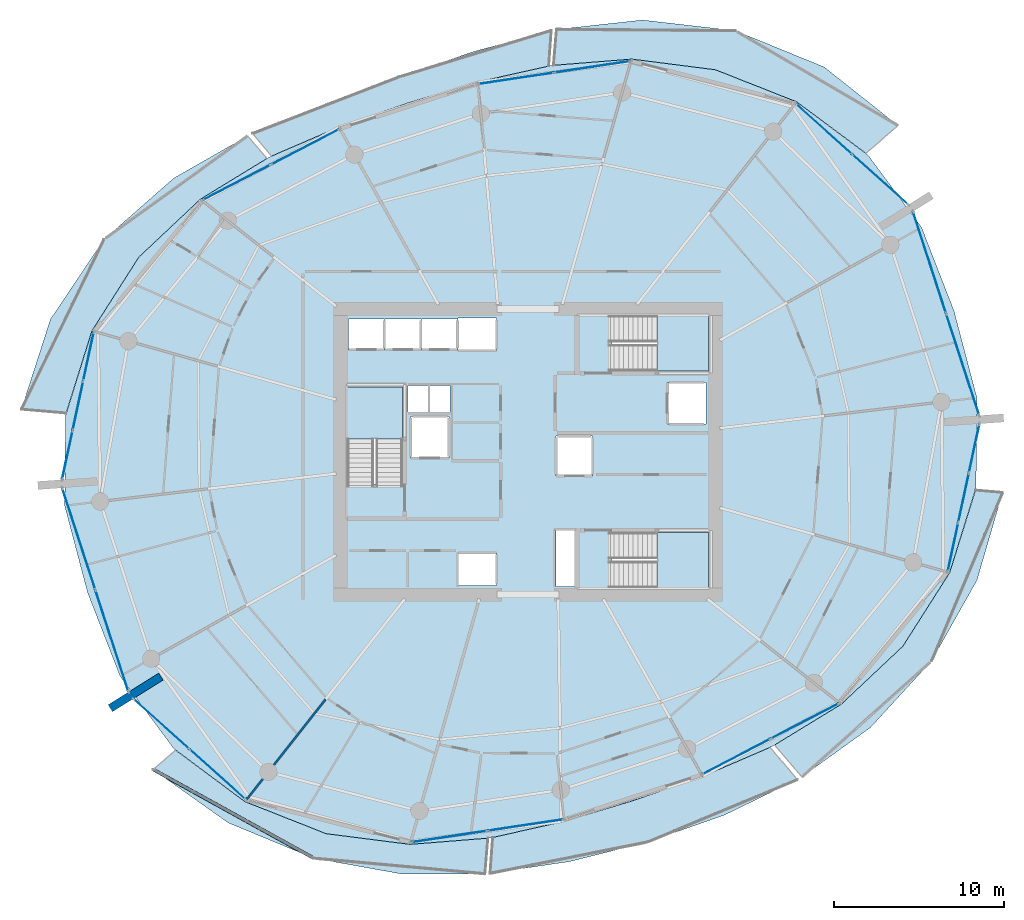
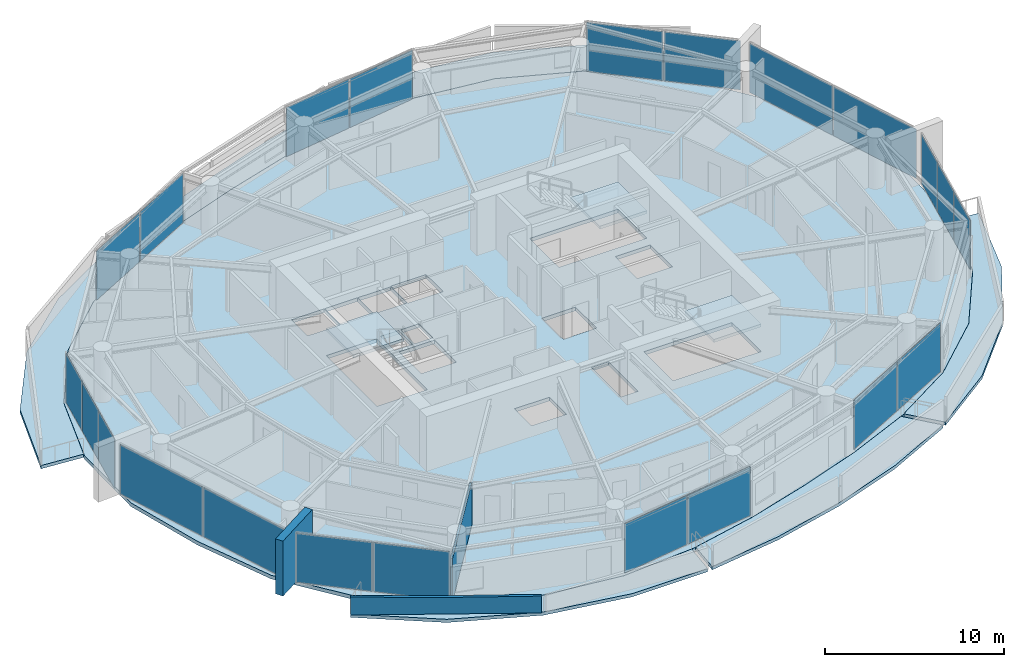
# One storey, part 10 of 20: 22 plates, 10 slabs, 3 walls, 13 elements without a shape of their own.
"""IFC4 building model written with IfcOpenShell, lengths in metres."""

from ifc_helpers import new_model, si_unit, direction, frame, frame_2d, origin, origin_2d, place, context, subcontext, project, spatial, polyline, rectangle, outline, extrude, material, layer, layer_set, type_object, element, aggregate, save


model = new_model("IFC4")

# Units and contexts
model_context = context("Model", 3, precision=1e-05, world=origin(), true_north=direction((0.0, 1.0)))
body_context = subcontext(model_context, "Body", "Model", "MODEL_VIEW")
ifc_project = project(units=[si_unit("LENGTHUNIT", "METRE"), si_unit("AREAUNIT", "SQUARE_METRE"), si_unit("VOLUMEUNIT", "CUBIC_METRE"), si_unit("PLANEANGLEUNIT", "RADIAN"), si_unit("MASSUNIT", "GRAM", prefix="KILO")], contexts=[model_context])

# Site, building, storey
site_placement = place(None, origin())
site = spatial("IfcSite", under=ifc_project, at=site_placement, CompositionType="ELEMENT")
building_placement = place(site_placement, origin())
building = spatial("IfcBuilding", under=site, at=building_placement, Name="Kazma Halo Residences", CompositionType="ELEMENT")
storey_placement = place(building_placement, frame((0.0, 0.0, 165.300048828125)))
storey = spatial("IfcBuildingStorey", under=building, at=storey_placement, Name="L41", CompositionType="ELEMENT", Elevation=165.300048828125)

# Curtain wall, plates
ifc_material_1 = material(Name="Aluminium AW-6063 T6 and Triple-Silver Low-E Glass", Category="aluminium")
ifc_layer_1 = layer(ifc_material_1, 0.219970703125)
ifc_layer_set_1 = layer_set([ifc_layer_1], Name="Aluminium AW-6063 T6 and Triple-Silver Low-E Glass")
curtain_wall_type = type_object("IfcCurtainWallType", Name="CW-SYS-4", PredefinedType="NOTDEFINED", material=ifc_layer_set_1)
curtain_wall_1_placement = place(storey_placement, origin())
curtain_wall_1 = element("IfcCurtainWall", 1, at=curtain_wall_1_placement, inside=storey, type_object=curtain_wall_type, Name="L41 unitised curtain wall B01", PredefinedType="NOTDEFINED")
ifc_material_2 = material(Name="Clear Triple-Silver Low-E Glass IGU", Category="glass")
ifc_layer_2 = layer(ifc_material_2, 0.033935546875)
ifc_layer_set_2 = layer_set([ifc_layer_2], Name="Clear Triple-Silver Low-E Glass IGU")
plate_type = type_object("IfcPlateType", Name="CW-SYS-4-PNL", PredefinedType="CURTAIN_PANEL", material=ifc_layer_set_2)
plate_1_placement = place(storey_placement, frame((69.126708984375, 58.008056640625, 0.074951171875), z_axis=(0.0, 0.0, 1.0), x_axis=(-0.744367582957, 0.667770096247, 0.0)))
plate_1 = element("IfcPlate", 2, at=plate_1_placement, type_object=plate_type, Name="CWS-4 panel 1.1", PredefinedType="CURTAIN_PANEL", context=body_context, shape_type="SweptSolid", body=[
    extrude(rectangle(XDim=4.36279296875, YDim=0.033935546875, at=origin_2d()), origin(), (0.0, 0.0, 1.0), 3.35009765625),
])
plate_2_placement = place(storey_placement, frame((65.823486328125, 60.971435546875, 0.074951171875), z_axis=(0.0, 0.0, 1.0), x_axis=(-0.744367582957, 0.667770096247, 0.0)))
plate_2 = element("IfcPlate", 3, at=plate_2_placement, type_object=plate_type, Name="CWS-4 panel 2.1", PredefinedType="CURTAIN_PANEL", context=body_context, shape_type="SweptSolid", body=[
    extrude(rectangle(XDim=4.36279296875, YDim=0.033935546875, at=origin_2d()), origin(), (0.0, 0.0, 1.0), 3.35009765625),
])
aggregate(curtain_wall_1, [plate_1, plate_2])

curtain_wall_2_placement = place(storey_placement, origin())
curtain_wall_2 = element("IfcCurtainWall", 4, at=curtain_wall_2_placement, inside=storey, type_object=curtain_wall_type, Name="L41 unitised curtain wall B03", PredefinedType="NOTDEFINED")
plate_3_placement = place(storey_placement, frame((52.200439453125, 64.625732421875, 0.074951171875), z_axis=(0.0, 0.0, 1.0), x_axis=(-0.988864148004, -0.148821022686, 0.0)))
plate_3 = element("IfcPlate", 5, at=plate_3_placement, type_object=plate_type, Name="CWS-4 panel 1.1", PredefinedType="CURTAIN_PANEL", context=body_context, shape_type="SweptSolid", body=[
    extrude(rectangle(XDim=4.4560546875, YDim=0.033935546875, at=origin_2d()), origin(), (0.0, 0.0, 1.0), 3.35009765625),
])
plate_4_placement = place(storey_placement, frame((47.7197265625, 63.951416015625, 0.074951171875), z_axis=(0.0, 0.0, 1.0), x_axis=(-0.988864148004, -0.148821022686, 0.0)))
plate_4 = element("IfcPlate", 6, at=plate_4_placement, type_object=plate_type, Name="CWS-4 panel 2.1", PredefinedType="CURTAIN_PANEL", context=body_context, shape_type="SweptSolid", body=[
    extrude(rectangle(XDim=4.4560546875, YDim=0.033935546875, at=origin_2d()), origin(), (0.0, 0.0, 1.0), 3.35009765625),
])
aggregate(curtain_wall_2, [plate_3, plate_4])

curtain_wall_3_placement = place(storey_placement, origin())
curtain_wall_3 = element("IfcCurtainWall", 7, at=curtain_wall_3_placement, inside=storey, type_object=curtain_wall_type, Name="L41 unitised curtain wall B05", PredefinedType="NOTDEFINED")
plate_5_placement = place(storey_placement, frame((35.323974609375, 59.923828125, 0.074951171875), z_axis=(0.0, 0.0, 1.0), x_axis=(-0.887484542306, -0.460837484552, 0.0)))
plate_5 = element("IfcPlate", 8, at=plate_5_placement, type_object=plate_type, Name="CWS-4 panel 1.1", PredefinedType="CURTAIN_PANEL", context=body_context, shape_type="SweptSolid", body=[
    extrude(rectangle(XDim=4.4560546875, YDim=0.033935546875, at=origin_2d()), origin(), (0.0, 0.0, 1.0), 3.35009765625),
])
plate_6_placement = place(storey_placement, frame((31.302734375, 57.835693359375, 0.074951171875), z_axis=(0.0, 0.0, 1.0), x_axis=(-0.887484542306, -0.460837484552, 0.0)))
plate_6 = element("IfcPlate", 9, at=plate_6_placement, type_object=plate_type, Name="CWS-4 panel 2.1", PredefinedType="CURTAIN_PANEL", context=body_context, shape_type="SweptSolid", body=[
    extrude(rectangle(XDim=4.4560546875, YDim=0.033935546875, at=origin_2d()), origin(), (0.0, 0.0, 1.0), 3.35009765625),
])
aggregate(curtain_wall_3, [plate_5, plate_6])

curtain_wall_4_placement = place(storey_placement, origin())
curtain_wall_4 = element("IfcCurtainWall", 10, at=curtain_wall_4_placement, inside=storey, type_object=curtain_wall_type, Name="L41 unitised curtain wall B07", PredefinedType="NOTDEFINED")
plate_7_placement = place(storey_placement, frame((22.5859375, 47.601318359375, 0.074951171875), z_axis=(0.0, 0.0, 1.0), x_axis=(-0.209703809037, -0.977764957684, 0.0)))
plate_7 = element("IfcPlate", 11, at=plate_7_placement, type_object=plate_type, Name="CWS-4 panel 1.1", PredefinedType="CURTAIN_PANEL", context=body_context, shape_type="SweptSolid", body=[
    extrude(rectangle(XDim=2.87109375, YDim=0.033935546875, at=origin_2d()), origin(), (0.0, 0.0, 1.0), 3.35009765625),
])
plate_8_placement = place(storey_placement, frame((21.964111328125, 44.702392578125, 0.074951171875), z_axis=(0.0, 0.0, 1.0), x_axis=(-0.209703809037, -0.977764957684, 0.0)))
plate_8 = element("IfcPlate", 12, at=plate_8_placement, type_object=plate_type, Name="CWS-4 panel 2.1", PredefinedType="CURTAIN_PANEL", context=body_context, shape_type="SweptSolid", body=[
    extrude(rectangle(XDim=2.90869140625, YDim=0.033935546875, at=origin_2d()), origin(), (0.0, 0.0, 1.0), 3.35009765625),
])
plate_9_placement = place(storey_placement, frame((21.34228515625, 41.803466796875, 0.074951171875), z_axis=(0.0, 0.0, 1.0), x_axis=(-0.209703809037, -0.977764957684, 0.0)))
plate_9 = element("IfcPlate", 13, at=plate_9_placement, type_object=plate_type, Name="CWS-4 panel 3.1", PredefinedType="CURTAIN_PANEL", context=body_context, shape_type="SweptSolid", body=[
    extrude(rectangle(XDim=2.87109375, YDim=0.033935546875, at=origin_2d()), origin(), (0.0, 0.0, 1.0), 3.35009765625),
])
aggregate(curtain_wall_4, [plate_7, plate_8, plate_9])

curtain_wall_5_placement = place(storey_placement, origin())
curtain_wall_5 = element("IfcCurtainWall", 14, at=curtain_wall_5_placement, inside=storey, type_object=curtain_wall_type, Name="L41 unitised curtain wall B08", PredefinedType="NOTDEFINED")
plate_10_placement = place(storey_placement, frame((22.017578125, 36.869873046875, 0.074951171875), z_axis=(0.0, 0.0, 1.0), x_axis=(0.3090138203, -0.951057547609, 0.0)))
plate_10 = element("IfcPlate", 15, at=plate_10_placement, type_object=plate_type, Name="CWS-4 panel 1.1", PredefinedType="CURTAIN_PANEL", context=body_context, shape_type="SweptSolid", body=[
    extrude(rectangle(XDim=6.224853515625, YDim=0.033935546875, at=origin_2d()), origin(), (0.0, 0.0, 1.0), 3.35009765625),
])
plate_11_placement = place(storey_placement, frame((23.96435546875, 30.878173828125, 0.074951171875), z_axis=(0.0, 0.0, 1.0), x_axis=(0.3090138203, -0.951057547609, 0.0)))
plate_11 = element("IfcPlate", 16, at=plate_11_placement, type_object=plate_type, Name="CWS-4 panel 2.1", PredefinedType="CURTAIN_PANEL", context=body_context, shape_type="SweptSolid", body=[
    extrude(rectangle(XDim=6.224853515625, YDim=0.033935546875, at=origin_2d()), origin(), (0.0, 0.0, 1.0), 3.35009765625),
])
aggregate(curtain_wall_5, [plate_10, plate_11])

curtain_wall_6_placement = place(storey_placement, origin())
curtain_wall_6 = element("IfcCurtainWall", 17, at=curtain_wall_6_placement, inside=storey, type_object=curtain_wall_type, Name="L41 unitised curtain wall B09", PredefinedType="NOTDEFINED")
plate_12_placement = place(storey_placement, frame((26.873291015625, 25.991943359375, 0.074951171875), z_axis=(0.0, 0.0, 1.0), x_axis=(0.744367582957, -0.667770096247, 0.0)))
plate_12 = element("IfcPlate", 18, at=plate_12_placement, type_object=plate_type, Name="CWS-4 panel 1.1", PredefinedType="CURTAIN_PANEL", context=body_context, shape_type="SweptSolid", body=[
    extrude(rectangle(XDim=4.36279296875, YDim=0.033935546875, at=origin_2d()), origin(), (0.0, 0.0, 1.0), 3.35009765625),
])
plate_13_placement = place(storey_placement, frame((30.176513671875, 23.028564453125, 0.074951171875), z_axis=(0.0, 0.0, 1.0), x_axis=(0.744367582957, -0.667770096247, 0.0)))
plate_13 = element("IfcPlate", 19, at=plate_13_placement, type_object=plate_type, Name="CWS-4 panel 2.1", PredefinedType="CURTAIN_PANEL", context=body_context, shape_type="SweptSolid", body=[
    extrude(rectangle(XDim=4.36279296875, YDim=0.033935546875, at=origin_2d()), origin(), (0.0, 0.0, 1.0), 3.35009765625),
])
aggregate(curtain_wall_6, [plate_12, plate_13])

curtain_wall_7_placement = place(storey_placement, origin())
curtain_wall_7 = element("IfcCurtainWall", 20, at=curtain_wall_7_placement, inside=storey, type_object=curtain_wall_type, Name="L41 unitised curtain wall B11", PredefinedType="NOTDEFINED")
plate_14_placement = place(storey_placement, frame((43.799560546875, 19.374267578125, 0.074951171875), z_axis=(0.0, 0.0, 1.0), x_axis=(0.988864148004, 0.148821022686, 0.0)))
plate_14 = element("IfcPlate", 21, at=plate_14_placement, type_object=plate_type, Name="CWS-4 panel 1.1", PredefinedType="CURTAIN_PANEL", context=body_context, shape_type="SweptSolid", body=[
    extrude(rectangle(XDim=4.4560546875, YDim=0.033935546875, at=origin_2d()), origin(), (0.0, 0.0, 1.0), 3.35009765625),
])
plate_15_placement = place(storey_placement, frame((48.2802734375, 20.048583984375, 0.074951171875), z_axis=(0.0, 0.0, 1.0), x_axis=(0.988864148004, 0.148821022686, 0.0)))
plate_15 = element("IfcPlate", 22, at=plate_15_placement, type_object=plate_type, Name="CWS-4 panel 2.1", PredefinedType="CURTAIN_PANEL", context=body_context, shape_type="SweptSolid", body=[
    extrude(rectangle(XDim=4.4560546875, YDim=0.033935546875, at=origin_2d()), origin(), (0.0, 0.0, 1.0), 3.35009765625),
])
aggregate(curtain_wall_7, [plate_14, plate_15])

curtain_wall_8_placement = place(storey_placement, origin())
curtain_wall_8 = element("IfcCurtainWall", 23, at=curtain_wall_8_placement, inside=storey, type_object=curtain_wall_type, Name="L41 unitised curtain wall B13", PredefinedType="NOTDEFINED")
plate_16_placement = place(storey_placement, frame((60.676025390625, 24.076171875, 0.074951171875), z_axis=(0.0, 0.0, 1.0), x_axis=(0.887484542306, 0.460837484552, 0.0)))
plate_16 = element("IfcPlate", 24, at=plate_16_placement, type_object=plate_type, Name="CWS-4 panel 1.1", PredefinedType="CURTAIN_PANEL", context=body_context, shape_type="SweptSolid", body=[
    extrude(rectangle(XDim=4.4560546875, YDim=0.033935546875, at=origin_2d()), origin(), (0.0, 0.0, 1.0), 3.35009765625),
])
plate_17_placement = place(storey_placement, frame((64.697265625, 26.164306640625, 0.074951171875), z_axis=(0.0, 0.0, 1.0), x_axis=(0.887484542306, 0.460837484552, 0.0)))
plate_17 = element("IfcPlate", 25, at=plate_17_placement, type_object=plate_type, Name="CWS-4 panel 2.1", PredefinedType="CURTAIN_PANEL", context=body_context, shape_type="SweptSolid", body=[
    extrude(rectangle(XDim=4.4560546875, YDim=0.033935546875, at=origin_2d()), origin(), (0.0, 0.0, 1.0), 3.35009765625),
])
aggregate(curtain_wall_8, [plate_16, plate_17])

curtain_wall_9_placement = place(storey_placement, origin())
curtain_wall_9 = element("IfcCurtainWall", 26, at=curtain_wall_9_placement, inside=storey, type_object=curtain_wall_type, Name="L41 unitised curtain wall B15", PredefinedType="NOTDEFINED")
plate_18_placement = place(storey_placement, frame((73.4140625, 36.398681640625, 0.074951171875), z_axis=(0.0, 0.0, 1.0), x_axis=(0.209703809037, 0.977764957684, 0.0)))
plate_18 = element("IfcPlate", 27, at=plate_18_placement, type_object=plate_type, Name="CWS-4 panel 1.1", PredefinedType="CURTAIN_PANEL", context=body_context, shape_type="SweptSolid", body=[
    extrude(rectangle(XDim=2.87109375, YDim=0.033935546875, at=origin_2d()), origin(), (0.0, 0.0, 1.0), 3.35009765625),
])
plate_19_placement = place(storey_placement, frame((74.035888671875, 39.297607421875, 0.074951171875), z_axis=(0.0, 0.0, 1.0), x_axis=(0.209703809037, 0.977764957684, 0.0)))
plate_19 = element("IfcPlate", 28, at=plate_19_placement, type_object=plate_type, Name="CWS-4 panel 2.1", PredefinedType="CURTAIN_PANEL", context=body_context, shape_type="SweptSolid", body=[
    extrude(rectangle(XDim=2.90869140625, YDim=0.033935546875, at=origin_2d()), origin(), (0.0, 0.0, 1.0), 3.35009765625),
])
plate_20_placement = place(storey_placement, frame((74.65771484375, 42.196533203125, 0.074951171875), z_axis=(0.0, 0.0, 1.0), x_axis=(0.209703809037, 0.977764957684, 0.0)))
plate_20 = element("IfcPlate", 29, at=plate_20_placement, type_object=plate_type, Name="CWS-4 panel 3.1", PredefinedType="CURTAIN_PANEL", context=body_context, shape_type="SweptSolid", body=[
    extrude(rectangle(XDim=2.87109375, YDim=0.033935546875, at=origin_2d()), origin(), (0.0, 0.0, 1.0), 3.35009765625),
])
aggregate(curtain_wall_9, [plate_18, plate_19, plate_20])

curtain_wall_10_placement = place(storey_placement, origin())
curtain_wall_10 = element("IfcCurtainWall", 30, at=curtain_wall_10_placement, inside=storey, type_object=curtain_wall_type, Name="L41 unitised curtain wall B16", PredefinedType="NOTDEFINED")
plate_21_placement = place(storey_placement, frame((73.982421875, 47.130126953125, 0.074951171875), z_axis=(0.0, 0.0, 1.0), x_axis=(-0.3090138203, 0.951057547609, 0.0)))
plate_21 = element("IfcPlate", 31, at=plate_21_placement, type_object=plate_type, Name="CWS-4 panel 1.1", PredefinedType="CURTAIN_PANEL", context=body_context, shape_type="SweptSolid", body=[
    extrude(rectangle(XDim=6.224853515625, YDim=0.033935546875, at=origin_2d()), origin(), (0.0, 0.0, 1.0), 3.35009765625),
])
plate_22_placement = place(storey_placement, frame((72.03564453125, 53.121826171875, 0.074951171875), z_axis=(0.0, 0.0, 1.0), x_axis=(-0.3090138203, 0.951057547609, 0.0)))
plate_22 = element("IfcPlate", 32, at=plate_22_placement, type_object=plate_type, Name="CWS-4 panel 2.1", PredefinedType="CURTAIN_PANEL", context=body_context, shape_type="SweptSolid", body=[
    extrude(rectangle(XDim=6.224853515625, YDim=0.033935546875, at=origin_2d()), origin(), (0.0, 0.0, 1.0), 3.35009765625),
])
aggregate(curtain_wall_10, [plate_21, plate_22])

# Slabs
ifc_material_3 = material(Name="White Concrete C50/60", Category="concrete")
ifc_layer_3 = layer(ifc_material_3, 0.219970703125)
ifc_layer_set_3 = layer_set([ifc_layer_3], Name="White Concrete C50/60")
slab_type_1 = type_object("IfcSlabType", Name="SLB-BAL-WAVE-210", PredefinedType="FLOOR", material=ifc_layer_set_3)
slab_1_placement = place(storey_placement, frame((0.0, 0.0, -0.219970703125)))
element("IfcSlab", 33, at=slab_1_placement, inside=storey, type_object=slab_type_1, Name="L41 NE cantilevered wave balcony slab", PredefinedType="FLOOR", context=body_context, shape_type="SweptSolid", body=[
    extrude(outline(polyline([(68.294677734375, 59.548583984375), (64.21923828125, 62.573974609375), (59.442626953125, 64.45751953125), (54.510986328125, 65.0859375), (49.927978515625, 64.720458984375), (50.10693359375, 66.831298828125), (55.15869140625, 67.38330078125), (60.61328125, 66.7548828125), (65.833984375, 64.622314453125), (70.179931640625, 61.17919921875), (68.294677734375, 59.548583984375)])), origin(), (0.0, 0.0, 1.0), 0.219970703125),
])
slab_2_placement = place(storey_placement, frame((0.0, 0.0, -0.219970703125)))
element("IfcSlab", 34, at=slab_2_placement, inside=storey, type_object=slab_type_1, Name="L41 NNW cantilevered wave balcony slab", PredefinedType="FLOOR", context=body_context, shape_type="SweptSolid", body=[
    extrude(outline(polyline([(49.6455078125, 64.67822265625), (45.427978515625, 63.72998046875), (41.3408203125, 62.494873046875), (37.30810546875, 61.091552734375), (33.3388671875, 59.3798828125), (32.223388671875, 60.702392578125), (36.5322265625, 62.47705078125), (40.841064453125, 64.033203125), (45.215576171875, 65.5263671875), (49.797119140625, 66.767578125), (49.6455078125, 64.67822265625)])), origin(), (0.0, 0.0, 1.0), 0.219970703125),
])
slab_3_placement = place(storey_placement, frame((0.0, 0.0, -0.219970703125)))
element("IfcSlab", 35, at=slab_3_placement, inside=storey, type_object=slab_type_1, Name="L41 NW cantilevered wave balcony slab", PredefinedType="FLOOR", context=body_context, shape_type="SweptSolid", body=[
    extrude(outline(polyline([(33.08544921875, 59.248046875), (29.1630859375, 56.849853515625), (25.54248046875, 53.442626953125), (22.78515625, 49.111328125), (21.2666015625, 44.268310546875), (18.6376953125, 44.491455078125), (20.349853515625, 49.798095703125), (23.49609375, 54.4853515625), (27.59521484375, 58.0859375), (31.9423828125, 60.5703125), (33.08544921875, 59.248046875)])), origin(), (0.0, 0.0, 1.0), 0.219970703125),
])
slab_4_placement = place(storey_placement, frame((0.0, 0.0, -0.219970703125)))
element("IfcSlab", 36, at=slab_4_placement, inside=storey, type_object=slab_type_1, Name="L41 SW cantilevered wave balcony slab", PredefinedType="FLOOR", context=body_context, shape_type="SweptSolid", body=[
    extrude(outline(polyline([(27.705322265625, 24.451416015625), (31.78076171875, 21.426025390625), (36.557373046875, 19.54248046875), (41.489013671875, 18.9140625), (46.072021484375, 19.279541015625), (45.894775390625, 17.187744140625), (40.998046875, 17.1728515625), (35.822998046875, 18.101318359375), (30.797607421875, 20.178955078125), (26.386474609375, 23.310791015625), (27.705322265625, 24.451416015625)])), origin(), (0.0, 0.0, 1.0), 0.219970703125),
])
slab_5_placement = place(storey_placement, frame((0.0, 0.0, -0.219970703125)))
element("IfcSlab", 37, at=slab_5_placement, inside=storey, type_object=slab_type_1, Name="L41 SSE cantilevered wave balcony slab", PredefinedType="FLOOR", context=body_context, shape_type="SweptSolid", body=[
    extrude(outline(polyline([(46.3544921875, 19.32177734375), (50.572021484375, 20.27001953125), (54.6591796875, 21.505126953125), (58.69189453125, 22.908447265625), (62.6611328125, 24.6201171875), (64.259521484375, 22.725341796875), (59.966064453125, 20.633056640625), (55.455810546875, 19.052978515625), (50.852294921875, 17.89990234375), (46.201416015625, 17.21337890625), (46.3544921875, 19.32177734375)])), origin(), (0.0, 0.0, 1.0), 0.219970703125),
])
slab_6_placement = place(storey_placement, frame((0.0, 0.0, -0.219970703125)))
element("IfcSlab", 38, at=slab_6_placement, inside=storey, type_object=slab_type_1, Name="L41 SE cantilevered wave balcony slab", PredefinedType="FLOOR", context=body_context, shape_type="SweptSolid", body=[
    extrude(outline(polyline([(62.91455078125, 24.751953125), (66.8369140625, 27.150146484375), (70.45751953125, 30.557373046875), (73.21484375, 34.888671875), (74.7333984375, 39.731689453125), (76.326171875, 39.596435546875), (74.81787109375, 34.4365234375), (72.1494140625, 29.6953125), (68.564208984375, 25.788330078125), (64.52978515625, 22.8837890625), (62.91455078125, 24.751953125)])), origin(), (0.0, 0.0, 1.0), 0.219970703125),
])
ifc_material_4 = material(Name="Concrete C50/60", Category="concrete")
ifc_layer_4 = layer(ifc_material_4, 0.25)
ifc_layer_set_4 = layer_set([ifc_layer_4], Name="Concrete C50/60")
slab_type_2 = type_object("IfcSlabType", Name="SLB-RES-250", PredefinedType="FLOOR", material=ifc_layer_set_4)
slab_7_placement = place(storey_placement, frame((0.0, 0.0, -0.25)))
element("IfcSlab", 39, at=slab_7_placement, inside=storey, type_object=slab_type_2, Name="L41 structural floor slab", PredefinedType="FLOOR", context=body_context, shape_type="SweptSolid", body=[
    extrude(outline(polyline([(73.47265625, 50.276611328125), (71.56201171875, 55.1953125), (68.41796875, 59.438720703125), (64.218017578125, 62.572509765625), (59.441650390625, 64.45556640625), (54.510498046875, 65.083984375), (49.787109375, 64.706298828125), (45.42822265625, 63.727783203125), (41.341552734375, 62.492919921875), (37.30908203125, 61.08984375), (33.2080078125, 59.3193359375), (29.16455078125, 56.8486328125), (25.54443359375, 53.441650390625), (22.787109375, 49.110595703125), (21.2314453125, 44.106689453125), (21.181884765625, 38.825927734375), (22.52734375, 33.723388671875), (24.43798828125, 28.8046875), (27.58203125, 24.561279296875), (31.781982421875, 21.427490234375), (36.558349609375, 19.54443359375), (41.489501953125, 18.916015625), (46.212890625, 19.293701171875), (50.57177734375, 20.272216796875), (54.658447265625, 21.507080078125), (58.69091796875, 22.91015625), (62.7919921875, 24.6806640625), (66.83544921875, 27.1513671875), (70.45556640625, 30.558349609375), (73.212890625, 34.889404296875), (74.7685546875, 39.893310546875), (74.818115234375, 45.174072265625), (73.47265625, 50.276611328125)]), holes=[polyline([(37.800048828125, 40.110107421875), (41.050048828125, 40.110107421875), (41.050048828125, 45.800048828125), (37.800048828125, 45.800048828125), (37.800048828125, 40.110107421875)]), polyline([(53.360107421875, 46.75), (59.050048828125, 46.75), (59.050048828125, 50.0), (53.360107421875, 50.0), (53.360107421875, 46.75)]), polyline([(53.360107421875, 34.0), (59.050048828125, 34.0), (59.050048828125, 37.25), (53.360107421875, 37.25), (53.360107421875, 34.0)]), polyline([(41.52001953125, 41.6201171875), (43.780029296875, 41.6201171875), (43.780029296875, 44.080078125), (41.52001953125, 44.080078125), (41.52001953125, 41.6201171875)]), polyline([(56.6201171875, 43.6201171875), (58.8798828125, 43.6201171875), (58.8798828125, 46.080078125), (56.6201171875, 46.080078125), (56.6201171875, 43.6201171875)]), polyline([(37.864990234375, 47.9951171875), (39.97509765625, 47.9951171875), (39.97509765625, 49.804931640625), (37.864990234375, 49.804931640625), (37.864990234375, 47.9951171875)]), polyline([(40.014892578125, 47.9951171875), (42.125, 47.9951171875), (42.125, 49.804931640625), (40.014892578125, 49.804931640625), (40.014892578125, 47.9951171875)]), polyline([(42.1650390625, 47.9951171875), (44.27490234375, 47.9951171875), (44.27490234375, 49.804931640625), (42.1650390625, 49.804931640625), (42.1650390625, 47.9951171875)]), polyline([(44.320068359375, 47.945068359375), (46.580078125, 47.945068359375), (46.580078125, 49.85498046875), (44.320068359375, 49.85498046875), (44.320068359375, 47.945068359375)]), polyline([(44.320068359375, 34.14501953125), (46.580078125, 34.14501953125), (46.580078125, 36.054931640625), (44.320068359375, 36.054931640625), (44.320068359375, 34.14501953125)]), polyline([(50.070068359375, 40.570068359375), (52.22998046875, 40.570068359375), (52.22998046875, 42.929931640625), (50.070068359375, 42.929931640625), (50.070068359375, 40.570068359375)]), polyline([(41.360107421875, 44.340087890625), (42.5400390625, 44.340087890625), (42.5400390625, 45.89990234375), (41.360107421875, 45.89990234375), (41.360107421875, 44.340087890625)]), polyline([(42.659912109375, 44.340087890625), (43.840087890625, 44.340087890625), (43.840087890625, 45.89990234375), (42.659912109375, 45.89990234375), (42.659912109375, 44.340087890625)]), polyline([(50.06005859375, 34.080078125), (51.159912109375, 34.080078125), (51.159912109375, 37.3798828125), (50.06005859375, 37.3798828125), (50.06005859375, 34.080078125)])]), origin(), (0.0, 0.0, 1.0), 0.25),
])

# Stair, slab
stair_type = type_object("IfcStairType", Name="STR-RES1", PredefinedType="HALF_TURN_STAIR", material=ifc_material_4)
stair_1_placement = place(storey_placement, origin())
stair_1 = element("IfcStair", 40, at=stair_1_placement, inside=storey, type_object=stair_type, Name="L41 Core exit stair ST-01", PredefinedType="HALF_TURN_STAIR")
ifc_layer_5 = layer(ifc_material_4, 0.199951171875)
ifc_layer_set_5 = layer_set([ifc_layer_5], Name="Concrete C50/60")
slab_type_3 = type_object("IfcSlabType", Name="SLB-STAIR-LND-200", PredefinedType="LANDING", material=ifc_layer_set_5)
slab_8_placement = place(storey_placement, frame((0.0, 0.0, 1.675048828125)))
slab_8 = element("IfcSlab", 41, at=slab_8_placement, type_object=slab_type_3, Name="ST-01 landing 1", PredefinedType="LANDING", context=body_context, shape_type="SweptSolid", body=[
    extrude(outline(polyline([(41.050048828125, 42.75), (41.050048828125, 45.800048828125), (37.800048828125, 45.800048828125), (37.800048828125, 42.75), (41.050048828125, 42.75)])), origin(), (0.0, 0.0, 1.0), 0.199951171875),
])
aggregate(stair_1, [slab_8])

stair_2_placement = place(storey_placement, origin())
stair_2 = element("IfcStair", 42, at=stair_2_placement, inside=storey, type_object=stair_type, Name="L41 Core exit stair ST-02", PredefinedType="HALF_TURN_STAIR")
slab_9_placement = place(storey_placement, frame((0.0, 0.0, 1.675048828125)))
slab_9 = element("IfcSlab", 43, at=slab_9_placement, type_object=slab_type_3, Name="ST-02 landing 1", PredefinedType="LANDING", context=body_context, shape_type="SweptSolid", body=[
    extrude(outline(polyline([(56.0, 46.75), (59.050048828125, 46.75), (59.050048828125, 50.0), (56.0, 50.0), (56.0, 46.75)])), origin(), (0.0, 0.0, 1.0), 0.199951171875),
])
aggregate(stair_2, [slab_9])

stair_3_placement = place(storey_placement, origin())
stair_3 = element("IfcStair", 44, at=stair_3_placement, inside=storey, type_object=stair_type, Name="L41 Core exit stair ST-03", PredefinedType="HALF_TURN_STAIR")
slab_10_placement = place(storey_placement, frame((0.0, 0.0, 1.675048828125)))
slab_10 = element("IfcSlab", 45, at=slab_10_placement, type_object=slab_type_3, Name="ST-03 landing 1", PredefinedType="LANDING", context=body_context, shape_type="SweptSolid", body=[
    extrude(outline(polyline([(56.0, 34.0), (59.050048828125, 34.0), (59.050048828125, 37.25), (56.0, 37.25), (56.0, 34.0)])), origin(), (0.0, 0.0, 1.0), 0.199951171875),
])
aggregate(stair_3, [slab_10])

# Walls
ifc_material_5 = material(Name="White Concrete C50/60 Balustrade", Category="concrete")
ifc_layer_6 = layer(ifc_material_5, 0.179931640625)
ifc_layer_set_6 = layer_set([ifc_layer_6], Name="White Concrete C50/60 Balustrade")
wall_type_1 = type_object("IfcWallType", Name="WL-BAL-WAVE-180", PredefinedType="PARAPET", material=ifc_layer_set_6)
wall_1_placement = place(storey_placement, frame((26.386474609375, 23.310791015625, 0.0), z_axis=(0.0, 0.0, 1.0), x_axis=(0.875451711427, -0.483305597897, 0.0)))
element("IfcWall", 46, at=wall_1_placement, inside=storey, type_object=wall_type_1, Name="L41 white wave balustrade wall SW.1", PredefinedType="PARAPET", context=body_context, shape_type="SweptSolid", body=[
    extrude(outline(polyline([(0.0, 0.0), (10.6591796875, 0.0), (10.658935546875, 1.14794921875), (5.32958984375, 1.126953125), (0.0, 1.223876953125), (0.0, 0.0)])), frame((0.0, 0.08984375, 0.0), z_axis=(0.0, -1.0, 0.0), x_axis=(1.0, 0.0, 0.0)), (0.0, 0.0, 1.0), 0.179931640625),
])
ifc_material_6 = material(Name="Pale Concrete C60/75", Category="concrete")
ifc_layer_7 = layer(ifc_material_6, 0.47998046875)
ifc_layer_set_7 = layer_set([ifc_layer_7], Name="Pale Concrete C60/75")
wall_type_2 = type_object("IfcWallType", Name="WL-BLADE-480", PredefinedType="SOLIDWALL", material=ifc_layer_set_7)
wall_2_placement = place(storey_placement, frame((26.834716796875, 28.7744140625, 0.0), z_axis=(0.0, 0.0, 1.0), x_axis=(-0.848053161125, -0.529911158502, 0.0)))
element("IfcWall", 47, at=wall_2_placement, inside=storey, type_object=wall_type_2, Name="L41 pale concrete structural blade fin wall BW-03", PredefinedType="SOLIDWALL", context=body_context, shape_type="SweptSolid", body=[
    extrude(rectangle(XDim=3.5, YDim=0.47998046875, at=frame_2d((1.75, 0.0))), origin(), (0.0, 0.0, 1.0), 3.75),
])
ifc_material_7 = material(Name="Gypsum Plasterboard Partition")
ifc_layer_8 = layer(ifc_material_7, 0.125)
ifc_layer_set_8 = layer_set([ifc_layer_8], Name="Gypsum Plasterboard Partition")
wall_type_3 = type_object("IfcWallType", Name="WL-PART-125", PredefinedType="PARTITIONING", material=ifc_layer_set_8)
wall_3_placement = place(storey_placement, frame((36.522705078125, 27.44091796875, 0.0), z_axis=(0.0, 0.0, 1.0), x_axis=(-0.619110986016, -0.785303499925, 0.0)))
element("IfcWall", 48, at=wall_3_placement, inside=storey, type_object=wall_type_3, Name="L41 Apartment 1 radial partition 9", PredefinedType="PARTITIONING", context=body_context, shape_type="SweptSolid", body=[
    extrude(rectangle(XDim=7.5126953125, YDim=0.125, at=frame_2d((3.75634765625, 0.0))), origin(), (0.0, 0.0, 1.0), 2.93994140625),
])

save(model, "model.ifc")
